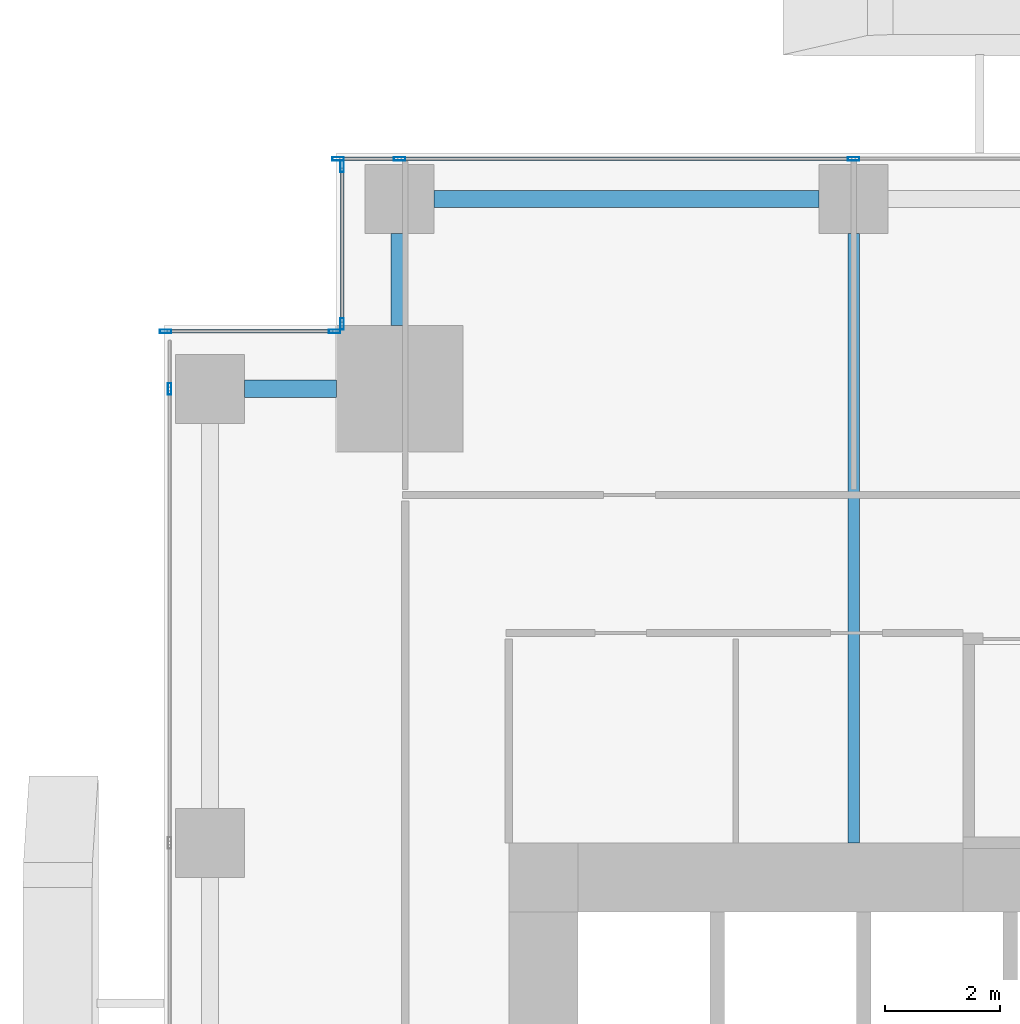
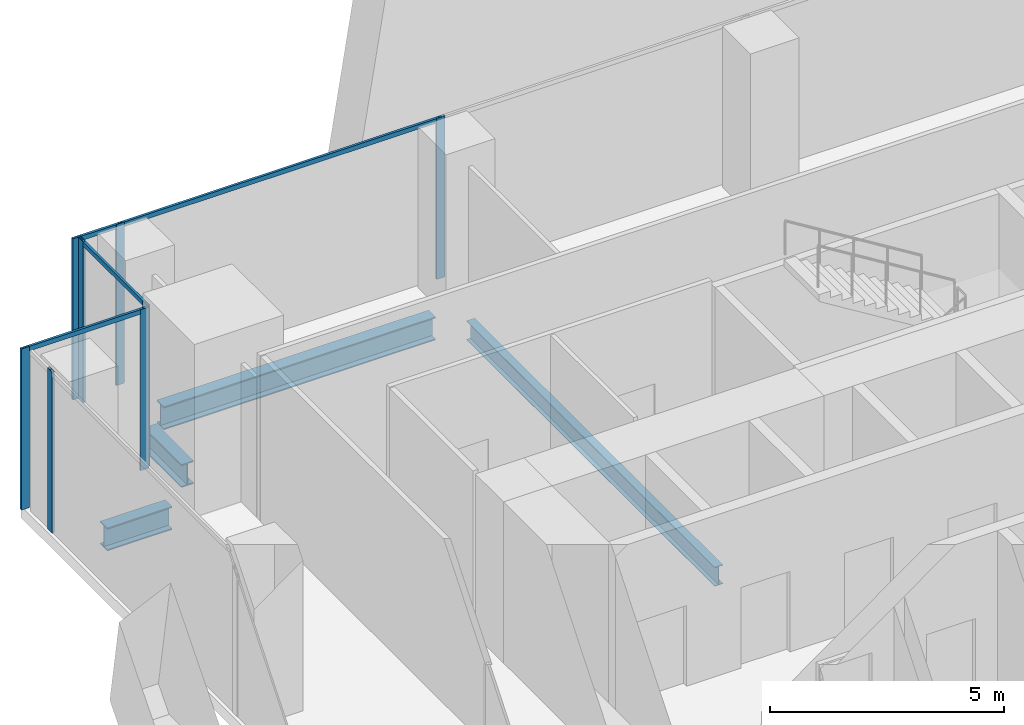
# One storey, part 13 of 34: 12 members, 4 beams, 4 elements without a shape of their own.
"""IFC4 building model written with IfcOpenShell, lengths in metres."""

from ifc_helpers import new_model, si_unit, direction, frame, origin, origin_2d, place, context, subcontext, project, spatial, hollow_rectangle, i_section, extrude, source, transform, mapped, material, material_profile, profile_set, type_object, element, aggregate, save


model = new_model("IFC4")

# Units and contexts
model_context = context("Model", 3, precision=1e-05, world=origin(), true_north=direction((0.0, 1.0)))
body_context = subcontext(model_context, "Body", "Model", "MODEL_VIEW")
ifc_project = project(units=[si_unit("LENGTHUNIT", "METRE"), si_unit("AREAUNIT", "SQUARE_METRE"), si_unit("VOLUMEUNIT", "CUBIC_METRE"), si_unit("PLANEANGLEUNIT", "RADIAN"), si_unit("MASSUNIT", "GRAM", prefix="KILO")], contexts=[model_context])

# Site, building, storey
site_placement = place(None, origin())
site = spatial("IfcSite", under=ifc_project, at=site_placement, CompositionType="ELEMENT")
building_placement = place(site_placement, origin())
building = spatial("IfcBuilding", under=site, at=building_placement, Name="Khomas Fold Tower", CompositionType="ELEMENT")
storey_placement = place(building_placement, frame((0.0, 0.0, 51.0)))
storey = spatial("IfcBuildingStorey", under=building, at=storey_placement, Name="L10", CompositionType="ELEMENT", Elevation=51.0)

# Beams
ifc_material_1 = material(Name="Steel S355", Category="steel")
ifc_material_profile_1 = material_profile(ifc_material_1, i_section(OverallWidth=0.199951171875, OverallDepth=0.5, WebThickness=0.01025390625, FlangeThickness=0.01611328125, at=origin_2d()), Name="IPE 500")
ifc_profile_set_1 = profile_set([ifc_material_profile_1], Name="Steel S355")
beam_type_1 = type_object("IfcBeamType", Name="IPE 500 beam JB5", PredefinedType="BEAM", material=ifc_profile_set_1)
shared_shape_1 = source(origin(), body_context, "Body", "SweptSolid", [
    extrude(i_section(OverallWidth=0.199951171875, OverallDepth=0.5, WebThickness=0.01025390625, FlangeThickness=0.01611328125, at=origin_2d()), origin(), (0.0, 0.0, 1.0), 10.60009765625),
])
beam_1_placement = place(storey_placement, frame((12.0, 42.0, -0.550048828125), z_axis=(0.0, 1.0, 0.0), x_axis=(-1.0, 0.0, 0.0)))
element("IfcBeam", 1, at=beam_1_placement, inside=storey, type_object=beam_type_1, Name="JB5", PredefinedType="BEAM", context=body_context, shape_type="MappedRepresentation", body=[
    mapped(shared_shape_1, transform((0.0, 0.0, 0.0))),
])
ifc_material_2 = material(Name="Steel S355", Category="steel")
ifc_material_profile_2 = material_profile(ifc_material_2, i_section(OverallWidth=0.300048828125, OverallDepth=0.60009765625, WebThickness=0.015380859375, FlangeThickness=0.030029296875, at=origin_2d()), Name="HE 600 B")
ifc_profile_set_2 = profile_set([ifc_material_profile_2], Name="Steel S355")
beam_type_2 = type_object("IfcBeamType", Name="HE 600 B spandrel SB1", PredefinedType="SPANDREL", material=ifc_profile_set_2)
shared_shape_2 = source(origin(), body_context, "Body", "SweptSolid", [
    extrude(i_section(OverallWidth=0.300048828125, OverallDepth=0.60009765625, WebThickness=0.015380859375, FlangeThickness=0.030029296875, at=origin_2d()), origin(), (0.0, 0.0, 1.0), 6.699951171875),
])
beam_2_placement = place(storey_placement, frame((4.699951171875, 53.199951171875, -0.60009765625), z_axis=(1.0, 0.0, 0.0), x_axis=(0.0, 1.0, 0.0)))
element("IfcBeam", 2, at=beam_2_placement, inside=storey, type_object=beam_type_2, Name="SB1", PredefinedType="SPANDREL", context=body_context, shape_type="MappedRepresentation", body=[
    mapped(shared_shape_2, transform((0.0, 0.0, 0.0))),
])
shared_shape_3 = source(origin(), body_context, "Body", "SweptSolid", [
    extrude(i_section(OverallWidth=0.300048828125, OverallDepth=0.60009765625, WebThickness=0.015380859375, FlangeThickness=0.030029296875, at=origin_2d()), origin(), (0.0, 0.0, 1.0), 1.60009765625),
])
for number, where, z_axis, x_axis, name in (
    (3, (4.10009765625, 51.0, -0.60009765625), (0.0, 1.0, 0.0), (-1.0, 0.0, 0.0), "SB1"),
    (4, (1.39990234375, 49.89990234375, -0.60009765625), (1.0, 0.0, 0.0), (0.0, 1.0, 0.0), "SB1"),
):
    element("IfcBeam", number, at=place(storey_placement, frame(where, z_axis=z_axis, x_axis=x_axis)), inside=storey, type_object=beam_type_2, Name=name, PredefinedType="SPANDREL", context=body_context, shape_type="MappedRepresentation", body=[
        mapped(shared_shape_3, transform((0.0, 0.0, 0.0))),
    ])

# Curtain wall, members
ifc_material_3 = material(Name="Aluminium framed double glazing", Category="aluminium")
curtain_wall_type = type_object("IfcCurtainWallType", Name="SK-Unitised clear-glass wall, growing floors CW1", PredefinedType="NOTDEFINED", material=ifc_material_3)
curtain_wall_1_placement = place(storey_placement, origin())
curtain_wall_1 = element("IfcCurtainWall", 5, at=curtain_wall_1_placement, inside=storey, type_object=curtain_wall_type, Name="CW1 run L10 06-1", PredefinedType="NOTDEFINED")
ifc_material_4 = material(Name="Aluminium", Category="aluminium")
ifc_material_profile_3 = material_profile(ifc_material_4, hollow_rectangle(XDim=0.06005859375, YDim=0.1201171875, WallThickness=0.00390625, at=origin_2d()), Name="SK-Unitised clear-glass wall, growing floors transom CW1-T")
ifc_profile_set_3 = profile_set([ifc_material_profile_3], Name="Aluminium")
member_type_1 = type_object("IfcMemberType", Name="SK-Unitised clear-glass wall, growing floors transom CW1-T", PredefinedType="USERDEFINED", material=ifc_profile_set_3)
shared_shape_4 = source(origin(), body_context, "Body", "SweptSolid", [
    extrude(hollow_rectangle(XDim=0.06005859375, YDim=0.1201171875, WallThickness=0.00390625, at=origin_2d()), origin(), (0.0, 0.0, 1.0), 7.840087890625),
])
member_1_placement = place(storey_placement, frame((11.969970703125, 53.89990234375, 4.139892578125), z_axis=(-1.0, 0.0, 0.0), x_axis=(0.0, -1.0, 0.0)))
member_1 = element("IfcMember", 6, at=member_1_placement, type_object=member_type_1, Name="CW1 transom 4", ObjectType="TRANSOM", PredefinedType="USERDEFINED", context=body_context, shape_type="MappedRepresentation", body=[
    mapped(shared_shape_4, transform((0.0, 0.0, 0.0))),
])
shared_shape_5 = source(origin(), body_context, "Body", "SweptSolid", [
    extrude(hollow_rectangle(XDim=0.06005859375, YDim=0.1201171875, WallThickness=0.00390625, at=origin_2d()), origin(), (0.0, 0.0, 1.0), 1.010009765625),
])
member_2_placement = place(storey_placement, frame((4.070068359375, 53.89990234375, 4.139892578125), z_axis=(-1.0, 0.0, 0.0), x_axis=(0.0, -1.0, 0.0)))
member_2 = element("IfcMember", 7, at=member_2_placement, type_object=member_type_1, Name="CW1 transom 5", ObjectType="TRANSOM", PredefinedType="USERDEFINED", context=body_context, shape_type="MappedRepresentation", body=[
    mapped(shared_shape_5, transform((0.0, 0.0, 0.0))),
])

# Curtain wall, member
curtain_wall_2_placement = place(storey_placement, origin())
curtain_wall_2 = element("IfcCurtainWall", 8, at=curtain_wall_2_placement, inside=storey, type_object=curtain_wall_type, Name="CW1 corner return L10 07", PredefinedType="NOTDEFINED")
shared_shape_6 = source(origin(), body_context, "Body", "SweptSolid", [
    extrude(hollow_rectangle(XDim=0.06005859375, YDim=0.1201171875, WallThickness=0.00390625, at=origin_2d()), origin(), (0.0, 0.0, 1.0), 2.679931640625),
])
member_3_placement = place(storey_placement, frame((3.10009765625, 53.739990234375, 4.139892578125), z_axis=(0.0, -1.0, 0.0), x_axis=(1.0, 0.0, 0.0)))
member_3 = element("IfcMember", 9, at=member_3_placement, type_object=member_type_1, Name="CW1 transom 1", ObjectType="TRANSOM", PredefinedType="USERDEFINED", context=body_context, shape_type="MappedRepresentation", body=[
    mapped(shared_shape_6, transform((0.0, 0.0, 0.0))),
])

curtain_wall_3_placement = place(storey_placement, origin())
curtain_wall_3 = element("IfcCurtainWall", 10, at=curtain_wall_3_placement, inside=storey, type_object=curtain_wall_type, Name="CW1 corner return L10 08", PredefinedType="NOTDEFINED")
shared_shape_7 = source(origin(), body_context, "Body", "SweptSolid", [
    extrude(hollow_rectangle(XDim=0.06005859375, YDim=0.1201171875, WallThickness=0.00390625, at=origin_2d()), origin(), (0.0, 0.0, 1.0), 2.8798828125),
])
member_4_placement = place(storey_placement, frame((2.93994140625, 50.89990234375, 4.139892578125), z_axis=(-1.0, 0.0, 0.0), x_axis=(0.0, -1.0, 0.0)))
member_4 = element("IfcMember", 11, at=member_4_placement, type_object=member_type_1, Name="CW1 transom 1", ObjectType="TRANSOM", PredefinedType="USERDEFINED", context=body_context, shape_type="MappedRepresentation", body=[
    mapped(shared_shape_7, transform((0.0, 0.0, 0.0))),
])

# Member
ifc_material_5 = material(Name="Aluminium", Category="aluminium")
ifc_material_profile_4 = material_profile(ifc_material_5, hollow_rectangle(XDim=0.06005859375, YDim=0.199951171875, WallThickness=0.00390625, at=origin_2d()), Name="SK-Unitised clear-glass wall, growing floors mullion CW1-M")
ifc_profile_set_4 = profile_set([ifc_material_profile_4], Name="Aluminium")
member_type_2 = type_object("IfcMemberType", Name="SK-Unitised clear-glass wall, growing floors mullion CW1-M", PredefinedType="MULLION", material=ifc_profile_set_4)
shared_shape_8 = source(origin(), body_context, "Body", "SweptSolid", [
    extrude(hollow_rectangle(XDim=0.06005859375, YDim=0.199951171875, WallThickness=0.00390625, at=origin_2d()), origin(), (0.0, 0.0, 1.0), 4.199951171875),
])
member_5_placement = place(storey_placement, frame((12.0, 53.89990234375, 0.0), z_axis=(0.0, 0.0, 1.0), x_axis=(0.0, -1.0, 0.0)))
member_5 = element("IfcMember", 12, at=member_5_placement, type_object=member_type_2, Name="CW1 mullion 4", PredefinedType="MULLION", context=body_context, shape_type="MappedRepresentation", body=[
    mapped(shared_shape_8, transform((0.0, 0.0, 0.0))),
])

member_6_placement = place(storey_placement, frame((4.10009765625, 53.89990234375, 0.0), z_axis=(0.0, 0.0, 1.0), x_axis=(0.0, -1.0, 0.0)))
member_6 = element("IfcMember", 13, at=member_6_placement, type_object=member_type_2, Name="CW1 mullion 5", PredefinedType="MULLION", context=body_context, shape_type="MappedRepresentation", body=[
    mapped(shared_shape_8, transform((0.0, 0.0, 0.0))),
])

member_7_placement = place(storey_placement, frame((3.030029296875, 53.89990234375, 0.0), z_axis=(0.0, 0.0, 1.0), x_axis=(0.0, -1.0, 0.0)))
member_7 = element("IfcMember", 14, at=member_7_placement, type_object=member_type_2, Name="CW1 mullion 6", PredefinedType="MULLION", context=body_context, shape_type="MappedRepresentation", body=[
    mapped(shared_shape_8, transform((0.0, 0.0, 0.0))),
])

aggregate(curtain_wall_1, [member_5, member_6, member_7, member_1, member_2])

member_8_placement = place(storey_placement, frame((3.10009765625, 53.77001953125, 0.0), z_axis=(0.0, 0.0, 1.0), x_axis=(1.0, 0.0, 0.0)))
member_8 = element("IfcMember", 15, at=member_8_placement, type_object=member_type_2, Name="CW1 mullion 1", PredefinedType="MULLION", context=body_context, shape_type="MappedRepresentation", body=[
    mapped(shared_shape_8, transform((0.0, 0.0, 0.0))),
])

member_9_placement = place(storey_placement, frame((3.10009765625, 51.030029296875, 0.0), z_axis=(0.0, 0.0, 1.0), x_axis=(1.0, 0.0, 0.0)))
member_9 = element("IfcMember", 16, at=member_9_placement, type_object=member_type_2, Name="CW1 mullion 2", PredefinedType="MULLION", context=body_context, shape_type="MappedRepresentation", body=[
    mapped(shared_shape_8, transform((0.0, 0.0, 0.0))),
])

aggregate(curtain_wall_2, [member_8, member_9, member_3])

member_10_placement = place(storey_placement, frame((2.969970703125, 50.89990234375, 0.0), z_axis=(0.0, 0.0, 1.0), x_axis=(0.0, -1.0, 0.0)))
member_10 = element("IfcMember", 17, at=member_10_placement, type_object=member_type_2, Name="CW1 mullion 1", PredefinedType="MULLION", context=body_context, shape_type="MappedRepresentation", body=[
    mapped(shared_shape_8, transform((0.0, 0.0, 0.0))),
])

member_11_placement = place(storey_placement, frame((0.030029296875, 50.89990234375, 0.0), z_axis=(0.0, 0.0, 1.0), x_axis=(0.0, -1.0, 0.0)))
member_11 = element("IfcMember", 18, at=member_11_placement, type_object=member_type_2, Name="CW1 mullion 2", PredefinedType="MULLION", context=body_context, shape_type="MappedRepresentation", body=[
    mapped(shared_shape_8, transform((0.0, 0.0, 0.0))),
])

aggregate(curtain_wall_3, [member_10, member_11, member_4])

# Curtain wall, member
curtain_wall_4_placement = place(storey_placement, origin())
curtain_wall_4 = element("IfcCurtainWall", 19, at=curtain_wall_4_placement, inside=storey, type_object=curtain_wall_type, Name="CW1 run L10 09-0", PredefinedType="NOTDEFINED")
member_12_placement = place(storey_placement, frame((0.10009765625, 49.89990234375, 0.0), z_axis=(0.0, 0.0, 1.0), x_axis=(1.0, 0.0, 0.0)))
member_12 = element("IfcMember", 20, at=member_12_placement, type_object=member_type_2, Name="CW1 mullion 2", PredefinedType="MULLION", context=body_context, shape_type="MappedRepresentation", body=[
    mapped(shared_shape_8, transform((0.0, 0.0, 0.0))),
])
aggregate(curtain_wall_4, [member_12])

save(model, "model.ifc")
